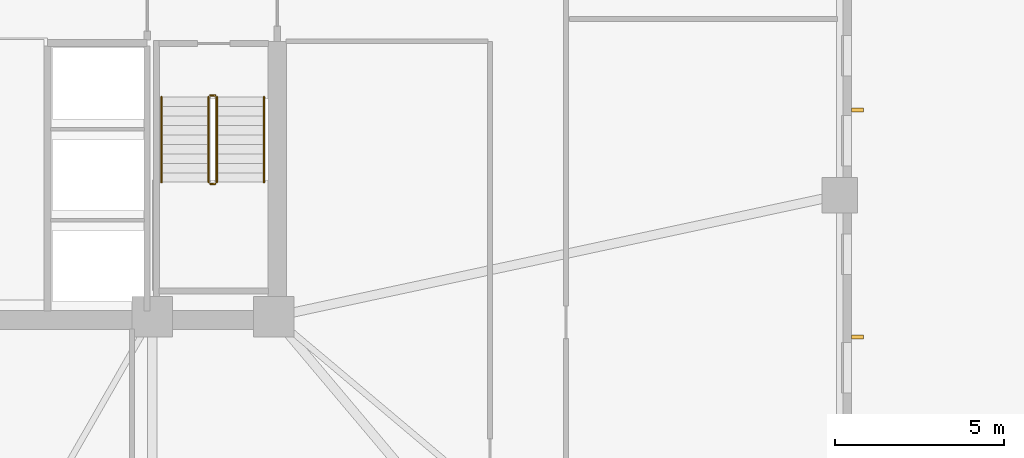
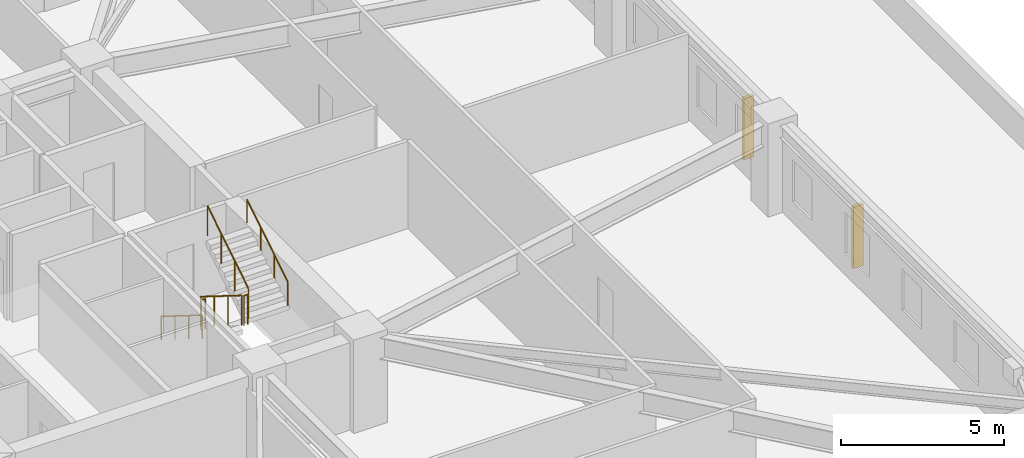
# One storey, part 10 of 12: 6 railings, 2 shading devices.
"""IFC4 building model written with IfcOpenShell, lengths in metres."""

from ifc_helpers import new_model, si_unit, direction, frame, origin, origin_2d, place, context, subcontext, project, spatial, rectangle, circle, extrude, material, type_object, element, save


model = new_model("IFC4")

# Units and contexts
model_context = context("Model", 3, precision=1e-05, world=origin(), true_north=direction((0.0, 1.0)))
body_context = subcontext(model_context, "Body", "Model", "MODEL_VIEW")
ifc_project = project(units=[si_unit("LENGTHUNIT", "METRE"), si_unit("AREAUNIT", "SQUARE_METRE"), si_unit("VOLUMEUNIT", "CUBIC_METRE"), si_unit("PLANEANGLEUNIT", "RADIAN"), si_unit("MASSUNIT", "GRAM", prefix="KILO")], contexts=[model_context])

# Site, building, storey
site_placement = place(None, origin())
site = spatial("IfcSite", under=ifc_project, at=site_placement, CompositionType="ELEMENT")
building_placement = place(site_placement, origin())
building = spatial("IfcBuilding", under=site, at=building_placement, Name="Cairnveth Concourse Tower", CompositionType="ELEMENT")
storey_placement = place(building_placement, frame((0.0, 0.0, 23.5)))
storey = spatial("IfcBuildingStorey", under=building, at=storey_placement, Name="L05", CompositionType="ELEMENT", Elevation=23.5)

# Shading devices
ifc_material_1 = material(Name="Architectural Bronze Anodised Aluminium 6063-T6", Category="aluminium")
shading_device_type = type_object("IfcShadingDeviceType", Name="GOTHIC BRONZE VERTICAL LANCET FIN", PredefinedType="USERDEFINED", material=ifc_material_1)
for number, where, z_axis, x_axis, name in (
    (1, (77.675048828125, 36.71875, 0.02978515625), (0.0, 0.0, 1.0), (0.0, 1.0, 0.0), "Gothic Bronze Vertical Fin L05-9-7"),
    (2, (77.675048828125, 29.99853515625, 0.02978515625), (0.0, 0.0, 1.0), (0.0, 1.0, 0.0), "Gothic Bronze Vertical Fin L05-9-9"),
):
    element("IfcShadingDevice", number, at=place(storey_placement, frame(where, z_axis=z_axis, x_axis=x_axis)), inside=storey, type_object=shading_device_type, Name=name, ObjectType="VERTICAL FIN", PredefinedType="USERDEFINED", context=body_context, shape_type="SweptSolid", body=[
        extrude(rectangle(XDim=0.1201171875, YDim=0.360107421875, at=origin_2d()), origin(), (0.0, 0.0, 1.0), 2.303955078125),
    ])

# Railings
ifc_material_2 = material(Name="Steel Grade 350", Category="steel")
railing_type_1 = type_object("IfcRailingType", Name="STAIR GUARDRAIL 1150", PredefinedType="GUARDRAIL", material=ifc_material_2)
railing_1_placement = place(storey_placement, frame((58.469970703125, 37.10009765625, 0.175048828125)))
element("IfcRailing", 3, at=railing_1_placement, inside=storey, type_object=railing_type_1, Name="L05 ST-2 stair guard 1", PredefinedType="GUARDRAIL", context=body_context, shape_type="SweptSolid", body=[
    extrude(circle(Radius=0.02392578125, at=origin_2d()), frame((0.0, 0.0, 1.1259765625), z_axis=(0.0, -0.848007534815, 0.529984170421), x_axis=(1.0, 0.0, 0.0)), (0.0, 0.0, 1.0), 2.9716796875),
    extrude(circle(Radius=0.02099609375, at=origin_2d()), origin(), (0.0, 0.0, 1.0), 1.101806640625),
    extrude(circle(Radius=0.02099609375, at=origin_2d()), frame((0.0, -0.840087890625, 0.52490234375)), (0.0, 0.0, 1.0), 1.101806640625),
    extrude(circle(Radius=0.02099609375, at=origin_2d()), frame((0.0, -1.679931640625, 1.050048828125)), (0.0, 0.0, 1.0), 1.101806640625),
    extrude(circle(Radius=0.02099609375, at=origin_2d()), frame((0.0, -2.52001953125, 1.574951171875)), (0.0, 0.0, 1.0), 1.101806640625),
])
railing_2_placement = place(storey_placement, frame((58.52001953125, 34.530029296875, 1.75)))
element("IfcRailing", 4, at=railing_2_placement, inside=storey, type_object=railing_type_1, Name="L05 ST-2 stair guard 2", PredefinedType="GUARDRAIL", context=body_context, shape_type="SweptSolid", body=[
    extrude(circle(Radius=0.02392578125, at=origin_2d()), frame((0.0, 0.0, 1.1259765625), z_axis=(1.0, 0.0, 0.0), x_axis=(0.0, 1.0, 0.0)), (0.0, 0.0, 1.0), 0.139892578125),
    extrude(circle(Radius=0.02099609375, at=origin_2d()), origin(), (0.0, 0.0, 1.0), 1.101806640625),
    extrude(circle(Radius=0.02099609375, at=origin_2d()), frame((0.139892578125, 0.0, 0.0)), (0.0, 0.0, 1.0), 1.101806640625),
])
railing_3_placement = place(storey_placement, frame((58.7099609375, 34.580078125, 1.925048828125)))
element("IfcRailing", 5, at=railing_3_placement, inside=storey, type_object=railing_type_1, Name="L05 ST-2 stair guard 3", PredefinedType="GUARDRAIL", context=body_context, shape_type="SweptSolid", body=[
    extrude(circle(Radius=0.02392578125, at=origin_2d()), frame((0.0, 0.0, 1.1259765625), z_axis=(0.0, 0.848007534815, 0.529984170421), x_axis=(-1.0, 0.0, 0.0)), (0.0, 0.0, 1.0), 2.9716796875),
    extrude(circle(Radius=0.02099609375, at=origin_2d()), origin(), (0.0, 0.0, 1.0), 1.101806640625),
    extrude(circle(Radius=0.02099609375, at=origin_2d()), frame((0.0, 0.840087890625, 0.52490234375)), (0.0, 0.0, 1.0), 1.101806640625),
    extrude(circle(Radius=0.02099609375, at=origin_2d()), frame((0.0, 1.679931640625, 1.050048828125)), (0.0, 0.0, 1.0), 1.101806640625),
    extrude(circle(Radius=0.02099609375, at=origin_2d()), frame((0.0, 2.52001953125, 1.574951171875)), (0.0, 0.0, 1.0), 1.101806640625),
])
railing_4_placement = place(storey_placement, frame((58.52001953125, 37.14990234375, 0.0)))
element("IfcRailing", 6, at=railing_4_placement, inside=storey, type_object=railing_type_1, Name="L05 ST-2 stair guard 4", PredefinedType="GUARDRAIL", context=body_context, shape_type="SweptSolid", body=[
    extrude(circle(Radius=0.02392578125, at=origin_2d()), frame((0.0, 0.0, 1.1259765625), z_axis=(1.0, 0.0, 0.0), x_axis=(0.0, 1.0, 0.0)), (0.0, 0.0, 1.0), 0.139892578125),
    extrude(circle(Radius=0.02099609375, at=origin_2d()), origin(), (0.0, 0.0, 1.0), 1.101806640625),
    extrude(circle(Radius=0.02099609375, at=origin_2d()), frame((0.139892578125, 0.0, 0.0)), (0.0, 0.0, 1.0), 1.101806640625),
])
railing_type_2 = type_object("IfcRailingType", Name="STAIR WALL HANDRAIL 900", PredefinedType="HANDRAIL", material=ifc_material_2)
railing_5_placement = place(storey_placement, frame((57.070068359375, 37.10009765625, 0.175048828125)))
element("IfcRailing", 7, at=railing_5_placement, inside=storey, type_object=railing_type_2, Name="L05 ST-2 stair handrail 1", PredefinedType="HANDRAIL", context=body_context, shape_type="SweptSolid", body=[
    extrude(circle(Radius=0.02392578125, at=origin_2d()), frame((0.0, 0.0, 0.8759765625), z_axis=(0.0, -0.848007534815, 0.529984170421), x_axis=(1.0, 0.0, 0.0)), (0.0, 0.0, 1.0), 2.9716796875),
    extrude(circle(Radius=0.02099609375, at=origin_2d()), origin(), (0.0, 0.0, 1.0), 0.851806640625),
    extrude(circle(Radius=0.02099609375, at=origin_2d()), frame((0.0, -0.840087890625, 0.52490234375)), (0.0, 0.0, 1.0), 0.851806640625),
    extrude(circle(Radius=0.02099609375, at=origin_2d()), frame((0.0, -1.679931640625, 1.050048828125)), (0.0, 0.0, 1.0), 0.851806640625),
    extrude(circle(Radius=0.02099609375, at=origin_2d()), frame((0.0, -2.52001953125, 1.574951171875)), (0.0, 0.0, 1.0), 0.851806640625),
])
railing_6_placement = place(storey_placement, frame((60.110107421875, 34.580078125, 1.925048828125)))
element("IfcRailing", 8, at=railing_6_placement, inside=storey, type_object=railing_type_2, Name="L05 ST-2 stair handrail 2", PredefinedType="HANDRAIL", context=body_context, shape_type="SweptSolid", body=[
    extrude(circle(Radius=0.02392578125, at=origin_2d()), frame((0.0, 0.0, 0.8759765625), z_axis=(0.0, 0.848007534815, 0.529984170421), x_axis=(-1.0, 0.0, 0.0)), (0.0, 0.0, 1.0), 2.9716796875),
    extrude(circle(Radius=0.02099609375, at=origin_2d()), origin(), (0.0, 0.0, 1.0), 0.851806640625),
    extrude(circle(Radius=0.02099609375, at=origin_2d()), frame((0.0, 0.840087890625, 0.52490234375)), (0.0, 0.0, 1.0), 0.851806640625),
    extrude(circle(Radius=0.02099609375, at=origin_2d()), frame((0.0, 1.679931640625, 1.050048828125)), (0.0, 0.0, 1.0), 0.851806640625),
    extrude(circle(Radius=0.02099609375, at=origin_2d()), frame((0.0, 2.52001953125, 1.574951171875)), (0.0, 0.0, 1.0), 0.851806640625),
])

save(model, "model.ifc")
